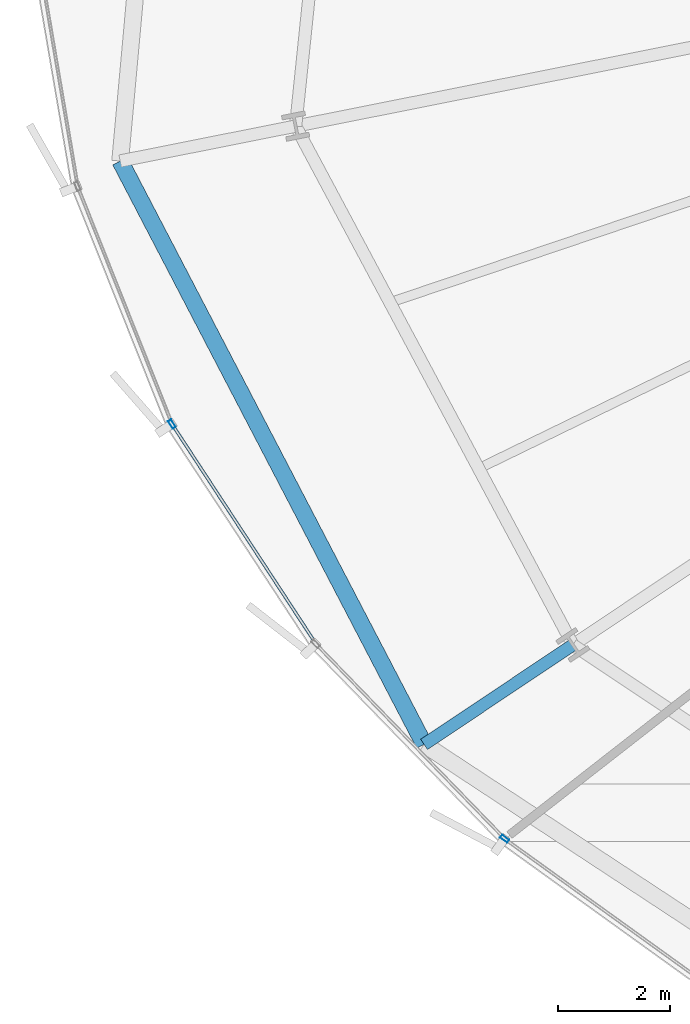
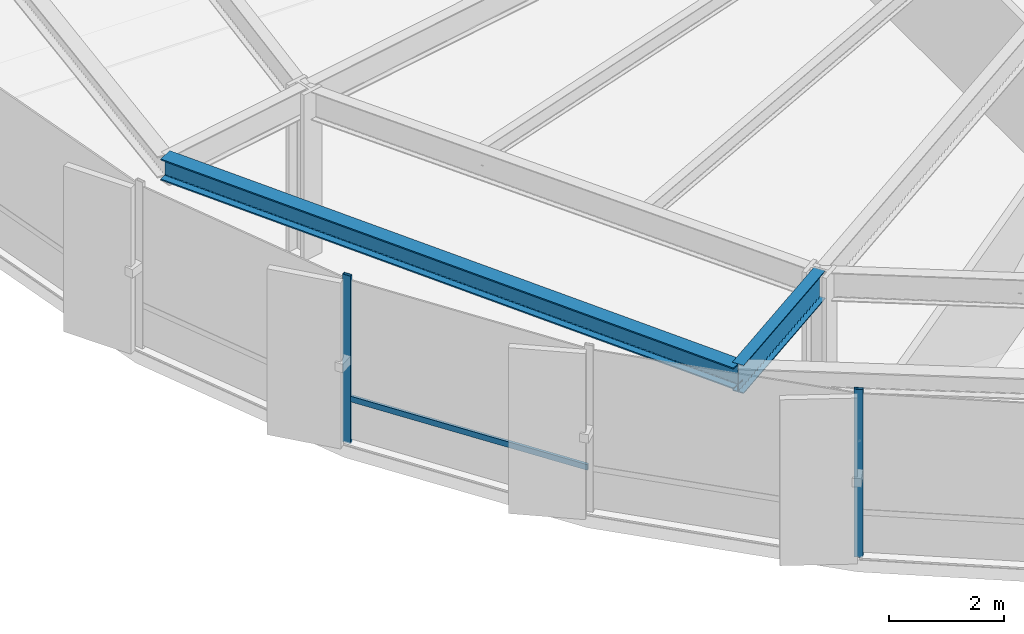
# One storey, part 3 of 39: 3 members, 2 beams, 1 element without a shape of its own.
"""IFC4 building model written with IfcOpenShell, lengths in metres."""

from ifc_helpers import new_model, si_unit, direction, frame, origin, origin_2d, place, context, subcontext, project, spatial, hollow_rectangle, i_section, extrude, source, transform, mapped, material, layer, layer_set, material_profile, profile_set, type_object, element, aggregate, save


model = new_model("IFC4")

# Units and contexts
model_context = context("Model", 3, precision=1e-05, world=origin(), true_north=direction((0.0, 1.0)))
body_context = subcontext(model_context, "Body", "Model", "MODEL_VIEW")
ifc_project = project(units=[si_unit("LENGTHUNIT", "METRE"), si_unit("AREAUNIT", "SQUARE_METRE"), si_unit("VOLUMEUNIT", "CUBIC_METRE"), si_unit("PLANEANGLEUNIT", "RADIAN"), si_unit("MASSUNIT", "GRAM", prefix="KILO"), si_unit("THERMODYNAMICTEMPERATUREUNIT", "KELVIN")], contexts=[model_context])

# Site, building, storey
site_placement = place(None, origin())
site = spatial("IfcSite", under=ifc_project, at=site_placement, CompositionType="ELEMENT")
building_placement = place(site_placement, origin())
building = spatial("IfcBuilding", under=site, at=building_placement, Name="Kethvar Cultural Tower", CompositionType="ELEMENT")
storey_placement = place(building_placement, frame((0.0, 0.0, 44.800048828125)))
storey = spatial("IfcBuildingStorey", under=building, at=storey_placement, Name="L10", CompositionType="ELEMENT", Elevation=44.800048828125)

# Beams
ifc_material_1 = material(Name="Steel S355J2", Category="steel")
ifc_material_profile_1 = material_profile(ifc_material_1, i_section(OverallWidth=0.219970703125, OverallDepth=0.60009765625, WebThickness=0.011962890625, FlangeThickness=0.01904296875, FilletRadius=0.02392578125, at=origin_2d()), Name="Steel S355J2 — IPE600")
ifc_profile_set_1 = profile_set([ifc_material_profile_1], Name="Steel S355J2 — IPE600")
beam_type_1 = type_object("IfcBeamType", Name="BM-IPE600", PredefinedType="BEAM", material=ifc_profile_set_1)
shared_shape_1 = source(origin(), body_context, "Body", "SweptSolid", [
    extrude(i_section(OverallWidth=0.219970703125, OverallDepth=0.60009765625, WebThickness=0.011962890625, FlangeThickness=0.01904296875, FilletRadius=0.02392578125, at=origin_2d()), origin(), (0.0, 0.0, 1.0), 3.2001953125),
])
beam_1_placement = place(storey_placement, frame((24.9248046875, 13.183349609375, 3.248046875), z_axis=(-0.831486491686, -0.555544970406, 0.0), x_axis=(0.555544970406, -0.831486491686, 0.0)))
element("IfcBeam", 1, at=beam_1_placement, inside=storey, type_object=beam_type_1, Name="L10 Perimeter Cantilever Beam RC-10", PredefinedType="BEAM", context=body_context, shape_type="MappedRepresentation", body=[
    mapped(shared_shape_1, transform((0.0, 0.0, 0.0), scale=1.0)),
])
ifc_material_profile_2 = material_profile(ifc_material_1, i_section(OverallWidth=0.300048828125, OverallDepth=0.449951171875, WebThickness=0.013916015625, FlangeThickness=0.02587890625, FilletRadius=0.027099609375, at=origin_2d()), Name="Steel S355J2 — HEB450")
ifc_profile_set_2 = profile_set([ifc_material_profile_2], Name="Steel S355J2 — HEB450")
beam_type_2 = type_object("IfcBeamType", Name="BM-SP450", PredefinedType="SPANDREL", material=ifc_profile_set_2)
shared_shape_2 = source(origin(), body_context, "Body", "SweptSolid", [
    extrude(i_section(OverallWidth=0.300048828125, OverallDepth=0.449951171875, WebThickness=0.013916015625, FlangeThickness=0.02587890625, FilletRadius=0.027099609375, at=origin_2d()), origin(), (0.0, 0.0, 1.0), 11.76416015625),
])
beam_2_placement = place(storey_placement, frame((16.827392578125, 21.838134765625, 3.322998046875), z_axis=(0.462126222064, -0.886814160285, 0.0), x_axis=(0.886814160285, 0.462126222064, 0.0)))
element("IfcBeam", 2, at=beam_2_placement, inside=storey, type_object=beam_type_2, Name="L10 Perimeter Spandrel Beam SP-09", PredefinedType="SPANDREL", context=body_context, shape_type="MappedRepresentation", body=[
    mapped(shared_shape_2, transform((0.0, 0.0, 0.0), scale=1.0)),
])

# Curtain wall, members
ifc_material_2 = material(Name="Aluminium 6063-T6", Category="aluminium")
ifc_layer = layer(ifc_material_2, 0.179931640625, Name="Aluminium 6063-T6", Category="aluminium")
ifc_layer_set = layer_set([ifc_layer], Name="Aluminium 6063-T6 (180 mm)")
curtain_wall_type = type_object("IfcCurtainWallType", Name="CW-SYS-02-Z1", PredefinedType="NOTDEFINED", material=ifc_layer_set)
curtain_wall_placement = place(storey_placement, origin())
curtain_wall = element("IfcCurtainWall", 3, at=curtain_wall_placement, inside=storey, type_object=curtain_wall_type, Name="L10 Curtain Wall Run 04", PredefinedType="NOTDEFINED")
ifc_material_profile_3 = material_profile(ifc_material_2, hollow_rectangle(XDim=0.06494140625, YDim=0.159912109375, WallThickness=0.0048828125, at=origin_2d()), Name="Aluminium 6063-T6 — RHS160x65x5")
ifc_profile_set_3 = profile_set([ifc_material_profile_3], Name="Aluminium 6063-T6 — RHS160x65x5")
member_type_1 = type_object("IfcMemberType", Name="CW-SYS-02-Z1-MUL", PredefinedType="MULLION", material=ifc_profile_set_3)
shared_shape_3 = source(origin(), body_context, "Body", "SweptSolid", [
    extrude(hollow_rectangle(XDim=0.06494140625, YDim=0.159912109375, WallThickness=0.0048828125, at=origin_2d()), origin(), (0.0, 0.0, 1.0), 3.550048828125),
])
member_1_placement = place(storey_placement, frame((17.753662109375, 17.134033203125, 0.0), z_axis=(0.0, 0.0, 1.0), x_axis=(0.836458365974, 0.548030475423, 0.0)))
member_1 = element("IfcMember", 4, at=member_1_placement, type_object=member_type_1, Name="CW-L10-R04 Mullion 4", PredefinedType="MULLION", context=body_context, shape_type="MappedRepresentation", body=[
    mapped(shared_shape_3, transform((0.0, 0.0, 0.0), scale=1.0)),
])
member_2_placement = place(storey_placement, frame((23.702880859375, 9.716796875, 0.0), z_axis=(0.0, 0.0, 1.0), x_axis=(0.584178840222, 0.811624964276, 0.0)))
member_2 = element("IfcMember", 5, at=member_2_placement, type_object=member_type_1, Name="CW-L10-R04 Mullion 6", PredefinedType="MULLION", context=body_context, shape_type="MappedRepresentation", body=[
    mapped(shared_shape_3, transform((0.0, 0.0, 0.0), scale=1.0)),
])
ifc_material_profile_4 = material_profile(ifc_material_2, hollow_rectangle(XDim=0.054931640625, YDim=0.1201171875, WallThickness=0.00390625, at=origin_2d()), Name="Aluminium 6063-T6 — RHS120x55x4")
ifc_profile_set_4 = profile_set([ifc_material_profile_4], Name="Aluminium 6063-T6 — RHS120x55x4")
member_type_2 = type_object("IfcMemberType", Name="CW-SYS-02-Z1-TRN", PredefinedType="USERDEFINED", material=ifc_profile_set_4)
shared_shape_4 = source(origin(), body_context, "Body", "SweptSolid", [
    extrude(hollow_rectangle(XDim=0.054931640625, YDim=0.1201171875, WallThickness=0.00390625, at=origin_2d()), origin(), (0.0, 0.0, 1.0), 4.62548828125),
])
member_3_placement = place(storey_placement, frame((17.779296875, 17.0947265625, 0.949951171875), z_axis=(0.548019890263, -0.836465301059, 0.0), x_axis=(0.836465301059, 0.548019890263, 0.0)))
member_3 = element("IfcMember", 6, at=member_3_placement, type_object=member_type_2, Name="CW-L10-R04 Transom 4", ObjectType="TRANSOM", PredefinedType="USERDEFINED", context=body_context, shape_type="MappedRepresentation", body=[
    mapped(shared_shape_4, transform((0.0, 0.0, 0.0), scale=1.0)),
])
aggregate(curtain_wall, [member_1, member_2, member_3])

save(model, "model.ifc")
